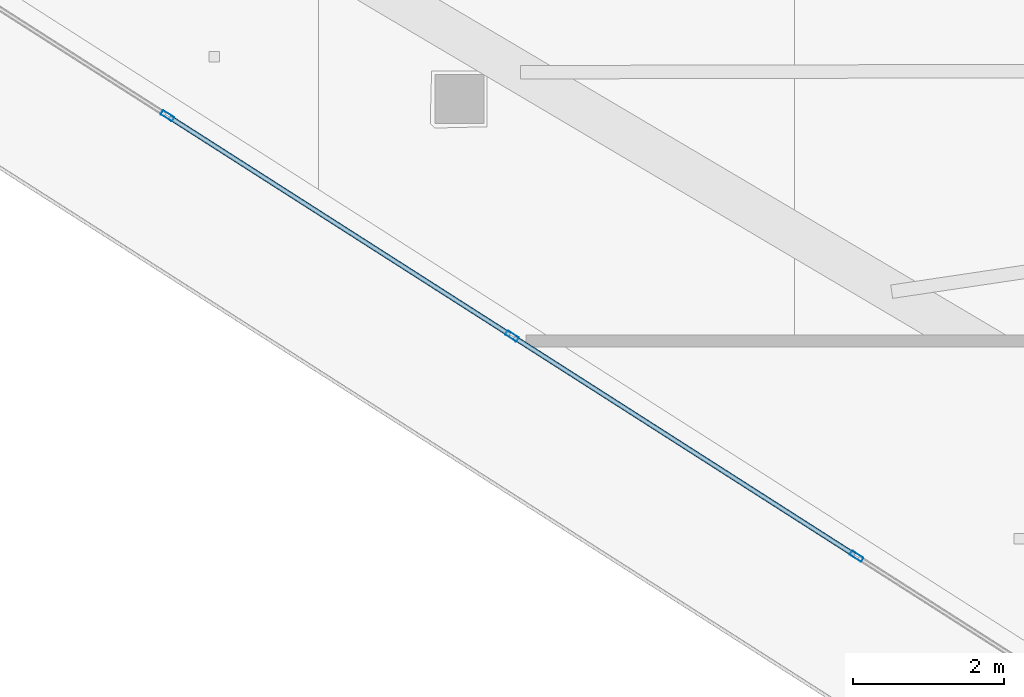
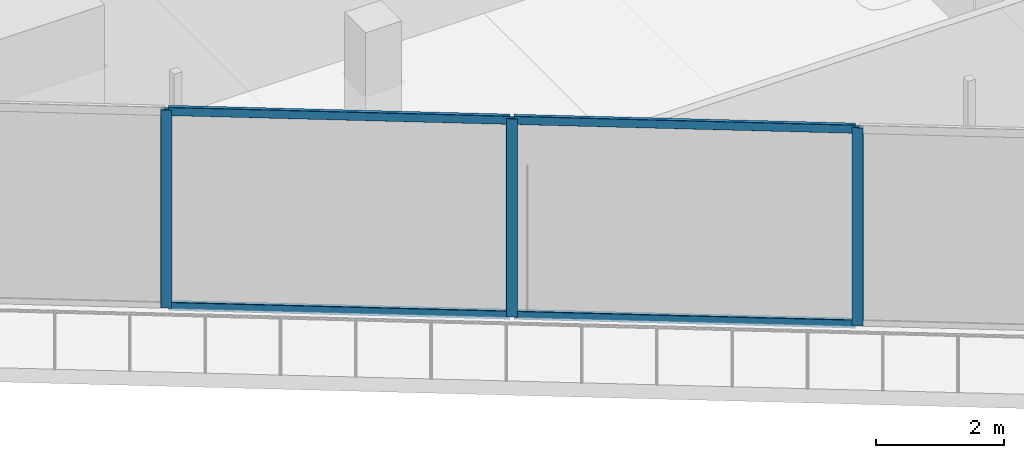
# One storey, part 4 of 38: 7 members, 1 element without a shape of its own.
"""IFC4 building model written with IfcOpenShell, lengths in metres."""

from ifc_helpers import new_model, si_unit, direction, frame, origin, origin_2d, place, context, subcontext, project, spatial, hollow_rectangle, extrude, material, layer, layer_set, material_profile, profile_set, type_object, element, aggregate, save


model = new_model("IFC4")

# Units and contexts
model_context = context("Model", 3, precision=1e-05, world=origin(), true_north=direction((0.0, 1.0)))
body_context = subcontext(model_context, "Body", "Model", "MODEL_VIEW")
ifc_project = project(units=[si_unit("LENGTHUNIT", "METRE"), si_unit("AREAUNIT", "SQUARE_METRE"), si_unit("VOLUMEUNIT", "CUBIC_METRE"), si_unit("PLANEANGLEUNIT", "RADIAN"), si_unit("MASSUNIT", "GRAM", prefix="KILO")], contexts=[model_context])

# Site, building, storey
site_placement = place(None, origin())
site = spatial("IfcSite", under=ifc_project, at=site_placement, CompositionType="ELEMENT")
building_placement = place(site_placement, origin())
building = spatial("IfcBuilding", under=site, at=building_placement, Name="Qorvath Tower", CompositionType="ELEMENT")
storey_placement = place(building_placement, frame((0.0, 0.0, 146.25)))
storey = spatial("IfcBuildingStorey", under=building, at=storey_placement, Name="L33", CompositionType="ELEMENT", Elevation=146.25)

# Curtain wall, members
ifc_material_1 = material(Name="Anodised aluminium and triple low-E glass", Category="aluminium")
ifc_layer = layer(ifc_material_1, 0.179931640625)
ifc_layer_set = layer_set([ifc_layer], Name="CW-SYS-3")
curtain_wall_type = type_object("IfcCurtainWallType", Name="CW-SYS-3", PredefinedType="NOTDEFINED", material=ifc_layer_set)
curtain_wall_placement = place(storey_placement, origin())
curtain_wall = element("IfcCurtainWall", 1, at=curtain_wall_placement, inside=storey, type_object=curtain_wall_type, Name="Curtain Wall CW-3 CW-T-L33-2.1", PredefinedType="NOTDEFINED")
ifc_material_2 = material(Name="Anodised aluminium 6063-T6", Category="aluminium")
ifc_material_profile_1 = material_profile(ifc_material_2, hollow_rectangle(XDim=0.06494140625, YDim=0.179931640625, WallThickness=0.00341796875, InnerFilletRadius=0.00341796875, OuterFilletRadius=0.007080078125, at=origin_2d()), Name="CWM 180x65")
ifc_profile_set_1 = profile_set([ifc_material_profile_1], Name="Anodised aluminium 6063-T6")
member_type_1 = type_object("IfcMemberType", Name="CWM-180", PredefinedType="MULLION", material=ifc_profile_set_1)
member_1_placement = place(storey_placement, frame((-52.434326171875, -6.64794921875, 0.0), z_axis=(0.0, 0.0, 1.0), x_axis=(0.53853296968, 0.842604438967, 0.0)))
member_1 = element("IfcMember", 2, at=member_1_placement, type_object=member_type_1, Name="CW-3 mullion 2", PredefinedType="MULLION", context=body_context, shape_type="SweptSolid", body=[
    extrude(hollow_rectangle(XDim=0.06494140625, YDim=0.179931640625, WallThickness=0.00341796875, InnerFilletRadius=0.00341796875, OuterFilletRadius=0.007080078125, at=origin_2d()), origin(), (0.0, 0.0, 1.0), 3.780029296875),
])
member_2_placement = place(storey_placement, frame((-47.883544921875, -9.556640625, 0.0), z_axis=(0.0, 0.0, 1.0), x_axis=(0.53853296968, 0.842604438967, 0.0)))
member_2 = element("IfcMember", 3, at=member_2_placement, type_object=member_type_1, Name="CW-3 mullion 3", PredefinedType="MULLION", context=body_context, shape_type="SweptSolid", body=[
    extrude(hollow_rectangle(XDim=0.06494140625, YDim=0.179931640625, WallThickness=0.00341796875, InnerFilletRadius=0.00341796875, OuterFilletRadius=0.007080078125, at=origin_2d()), origin(), (0.0, 0.0, 1.0), 3.780029296875),
])
member_3_placement = place(storey_placement, frame((-43.332763671875, -12.465087890625, 0.0), z_axis=(0.0, 0.0, 1.0), x_axis=(0.53853296968, 0.842604438967, 0.0)))
member_3 = element("IfcMember", 4, at=member_3_placement, type_object=member_type_1, Name="CW-3 mullion 4", PredefinedType="MULLION", context=body_context, shape_type="SweptSolid", body=[
    extrude(hollow_rectangle(XDim=0.06494140625, YDim=0.179931640625, WallThickness=0.00341796875, InnerFilletRadius=0.00341796875, OuterFilletRadius=0.007080078125, at=origin_2d()), origin(), (0.0, 0.0, 1.0), 3.780029296875),
])
ifc_material_3 = material(Name="Anodised aluminium 6063-T6", Category="aluminium")
ifc_material_profile_2 = material_profile(ifc_material_3, hollow_rectangle(XDim=0.06494140625, YDim=0.159912109375, WallThickness=0.00341796875, InnerFilletRadius=0.00341796875, OuterFilletRadius=0.007080078125, at=origin_2d()), Name="CWT 160x65")
ifc_profile_set_2 = profile_set([ifc_material_profile_2], Name="Anodised aluminium 6063-T6")
member_type_2 = type_object("IfcMemberType", Name="CWT-160", PredefinedType="USERDEFINED", material=ifc_profile_set_2)
member_4_placement = place(storey_placement, frame((-52.406982421875, -6.66552734375, 0.032470703125), z_axis=(0.842608601225, -0.538526457234, 0.0), x_axis=(0.538526457234, 0.842608601225, 0.0)))
member_4 = element("IfcMember", 5, at=member_4_placement, type_object=member_type_2, Name="CW-3 transom 2.1", ObjectType="TRANSOM", PredefinedType="USERDEFINED", context=body_context, shape_type="SweptSolid", body=[
    extrude(hollow_rectangle(XDim=0.06494140625, YDim=0.159912109375, WallThickness=0.00341796875, InnerFilletRadius=0.00341796875, OuterFilletRadius=0.007080078125, at=origin_2d()), origin(), (0.0, 0.0, 1.0), 5.3359375),
])
member_5_placement = place(storey_placement, frame((-52.406982421875, -6.66552734375, 3.74755859375), z_axis=(0.842608601225, -0.538526457234, 0.0), x_axis=(0.538526457234, 0.842608601225, 0.0)))
member_5 = element("IfcMember", 6, at=member_5_placement, type_object=member_type_2, Name="CW-3 transom 2.2", ObjectType="TRANSOM", PredefinedType="USERDEFINED", context=body_context, shape_type="SweptSolid", body=[
    extrude(hollow_rectangle(XDim=0.06494140625, YDim=0.159912109375, WallThickness=0.00341796875, InnerFilletRadius=0.00341796875, OuterFilletRadius=0.007080078125, at=origin_2d()), origin(), (0.0, 0.0, 1.0), 5.3359375),
])
member_6_placement = place(storey_placement, frame((-47.856201171875, -9.57421875, 0.032470703125), z_axis=(0.842608601225, -0.538526457234, 0.0), x_axis=(0.538526457234, 0.842608601225, 0.0)))
member_6 = element("IfcMember", 7, at=member_6_placement, type_object=member_type_2, Name="CW-3 transom 3.1", ObjectType="TRANSOM", PredefinedType="USERDEFINED", context=body_context, shape_type="SweptSolid", body=[
    extrude(hollow_rectangle(XDim=0.06494140625, YDim=0.159912109375, WallThickness=0.00341796875, InnerFilletRadius=0.00341796875, OuterFilletRadius=0.007080078125, at=origin_2d()), origin(), (0.0, 0.0, 1.0), 5.3359375),
])
member_7_placement = place(storey_placement, frame((-47.856201171875, -9.57421875, 3.74755859375), z_axis=(0.842608601225, -0.538526457234, 0.0), x_axis=(0.538526457234, 0.842608601225, 0.0)))
member_7 = element("IfcMember", 8, at=member_7_placement, type_object=member_type_2, Name="CW-3 transom 3.2", ObjectType="TRANSOM", PredefinedType="USERDEFINED", context=body_context, shape_type="SweptSolid", body=[
    extrude(hollow_rectangle(XDim=0.06494140625, YDim=0.159912109375, WallThickness=0.00341796875, InnerFilletRadius=0.00341796875, OuterFilletRadius=0.007080078125, at=origin_2d()), origin(), (0.0, 0.0, 1.0), 5.3359375),
])
aggregate(curtain_wall, [member_1, member_2, member_3, member_4, member_5, member_6, member_7])

save(model, "model.ifc")
